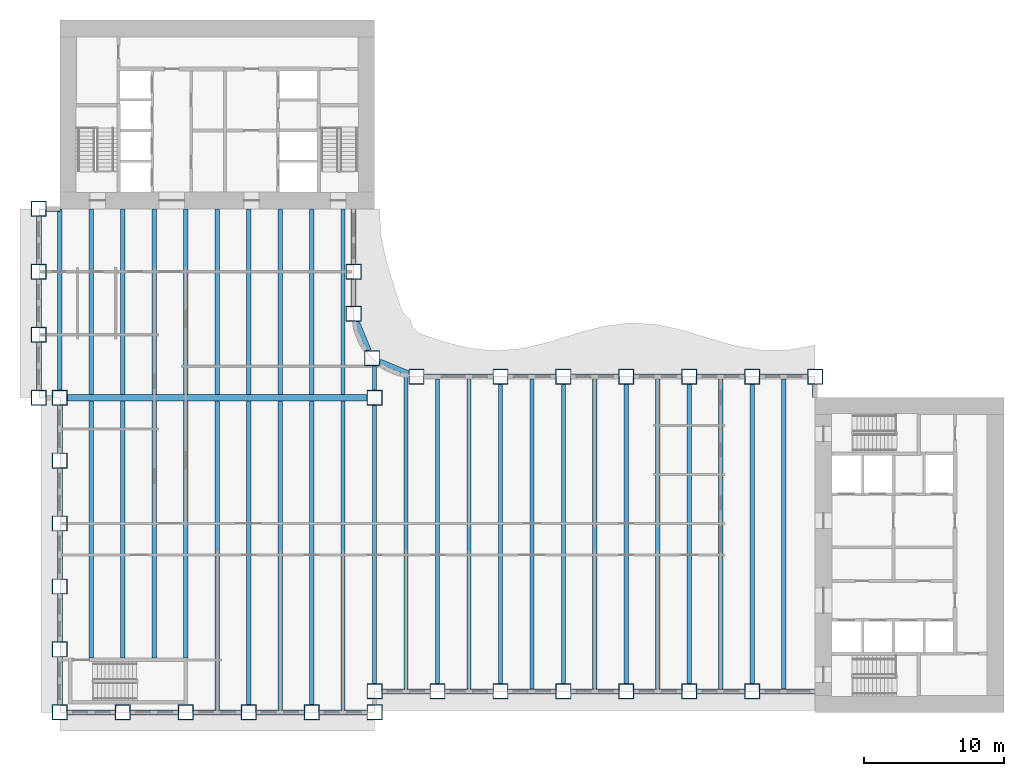
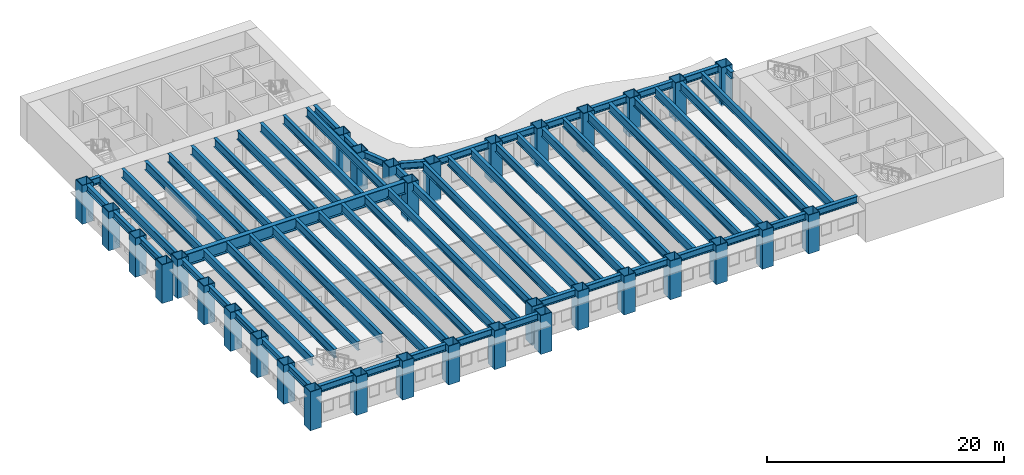
# One storey, part 1 of 15: 67 beams, 33 columns.
"""IFC4 building model written with IfcOpenShell, lengths in metres."""

from ifc_helpers import new_model, si_unit, direction, frame, origin, origin_2d, place, context, subcontext, project, spatial, hollow_rectangle, i_section, extrude, material, material_profile, profile_set, type_object, element, save


model = new_model("IFC4")

# Units and contexts
model_context = context("Model", 3, precision=1e-05, world=origin(), true_north=direction((0.0, 1.0)))
body_context = subcontext(model_context, "Body", "Model", "MODEL_VIEW")
ifc_project = project(units=[si_unit("LENGTHUNIT", "METRE"), si_unit("AREAUNIT", "SQUARE_METRE"), si_unit("VOLUMEUNIT", "CUBIC_METRE"), si_unit("PLANEANGLEUNIT", "RADIAN"), si_unit("MASSUNIT", "GRAM", prefix="KILO")], contexts=[model_context])

# Site, building, storey
site_placement = place(None, origin())
site = spatial("IfcSite", under=ifc_project, at=site_placement, CompositionType="ELEMENT")
building_placement = place(site_placement, origin())
building = spatial("IfcBuilding", under=site, at=building_placement, Name="Sennacour Bend Tower", CompositionType="ELEMENT")
storey_placement = place(building_placement, frame((0.0, 0.0, 41.0)))
storey = spatial("IfcBuildingStorey", under=building, at=storey_placement, Name="L08", CompositionType="ELEMENT", Elevation=41.0)

# Columns
ifc_material_1 = material(Name="Steel ASTM A572 Grade 50", Category="steel")
ifc_material_profile_1 = material_profile(ifc_material_1, hollow_rectangle(XDim=1.10009765625, YDim=1.10009765625, WallThickness=0.06005859375, at=origin_2d()), Name="Steel ASTM A572 Grade 50", Category="steel")
ifc_profile_set_1 = profile_set([ifc_material_profile_1], Name="Steel ASTM A572 Grade 50")
column_type = type_object("IfcColumnType", Name="Box column 1100", PredefinedType="COLUMN", material=ifc_profile_set_1)
for number, where, z_axis, x_axis, name in (
    (1, (-1.5, 22.5, -0.14990234375), (0.0, 0.0, 1.0), (1.0, 0.0, 0.0), "Perimeter column C1 L08-001"),
    (2, (-1.5, 27.0, -0.14990234375), (0.0, 0.0, 1.0), (1.0, 0.0, 0.0), "Perimeter column C1 L08-002"),
    (3, (-1.5, 31.5, -0.14990234375), (0.0, 0.0, 1.0), (1.0, 0.0, 0.0), "Perimeter column C1 L08-003"),
    (4, (-1.5, 36.0, -0.14990234375), (0.0, 0.0, 1.0), (1.0, 0.0, 0.0), "Perimeter column C1 L08-004"),
    (5, (0.0, 0.0, -0.14990234375), (0.0, 0.0, 1.0), (1.0, 0.0, 0.0), "Perimeter column C1 L08-005"),
    (6, (0.0, 4.5, -0.14990234375), (0.0, 0.0, 1.0), (1.0, 0.0, 0.0), "Perimeter column C1 L08-006"),
    (7, (0.0, 9.0, -0.14990234375), (0.0, 0.0, 1.0), (1.0, 0.0, 0.0), "Perimeter column C1 L08-007"),
    (8, (0.0, 13.5, -0.14990234375), (0.0, 0.0, 1.0), (1.0, 0.0, 0.0), "Perimeter column C1 L08-008"),
    (9, (0.0, 18.0, -0.14990234375), (0.0, 0.0, 1.0), (1.0, 0.0, 0.0), "Perimeter column C1 L08-009"),
    (10, (0.0, 22.5, -0.14990234375), (0.0, 0.0, 1.0), (1.0, 0.0, 0.0), "Perimeter column C1 L08-010"),
    (11, (4.5, 0.0, -0.14990234375), (0.0, 0.0, 1.0), (1.0, 0.0, 0.0), "Perimeter column C1 L08-011"),
    (12, (9.0, 0.0, -0.14990234375), (0.0, 0.0, 1.0), (1.0, 0.0, 0.0), "Perimeter column C1 L08-012"),
    (13, (13.5, 0.0, -0.14990234375), (0.0, 0.0, 1.0), (1.0, 0.0, 0.0), "Perimeter column C1 L08-013"),
    (14, (18.0, 0.0, -0.14990234375), (0.0, 0.0, 1.0), (1.0, 0.0, 0.0), "Perimeter column C1 L08-014"),
    (15, (21.0, 28.5, -0.14990234375), (0.0, 0.0, 1.0), (1.0, 0.0, 0.0), "Perimeter column C1 L08-015"),
    (16, (21.0, 31.5, -0.14990234375), (0.0, 0.0, 1.0), (1.0, 0.0, 0.0), "Perimeter column C1 L08-016"),
    (17, (22.318115234375, 25.318115234375, -0.14990234375), (0.0, 0.0, 1.0), (1.0, 0.0, 0.0), "Perimeter column C1 L08-017"),
    (18, (22.5, 0.0, -0.14990234375), (0.0, 0.0, 1.0), (1.0, 0.0, 0.0), "Perimeter column C1 L08-018"),
    (19, (22.5, 1.5, -0.14990234375), (0.0, 0.0, 1.0), (1.0, 0.0, 0.0), "Perimeter column C1 L08-019"),
    (20, (22.5, 22.5, -0.14990234375), (0.0, 0.0, 1.0), (1.0, 0.0, 0.0), "Knuckle column C1 L08-020"),
    (21, (25.5, 24.0, -0.14990234375), (0.0, 0.0, 1.0), (1.0, 0.0, 0.0), "Perimeter column C1 L08-021"),
    (22, (27.0, 1.5, -0.14990234375), (0.0, 0.0, 1.0), (1.0, 0.0, 0.0), "Perimeter column C1 L08-022"),
    (23, (31.5, 1.5, -0.14990234375), (0.0, 0.0, 1.0), (1.0, 0.0, 0.0), "Perimeter column C1 L08-023"),
    (24, (31.5, 24.0, -0.14990234375), (0.0, 0.0, 1.0), (1.0, 0.0, 0.0), "Perimeter column C1 L08-024"),
    (25, (36.0, 1.5, -0.14990234375), (0.0, 0.0, 1.0), (1.0, 0.0, 0.0), "Perimeter column C1 L08-025"),
    (26, (36.0, 24.0, -0.14990234375), (0.0, 0.0, 1.0), (1.0, 0.0, 0.0), "Perimeter column C1 L08-026"),
    (27, (40.5, 1.5, -0.14990234375), (0.0, 0.0, 1.0), (1.0, 0.0, 0.0), "Perimeter column C1 L08-027"),
    (28, (40.5, 24.0, -0.14990234375), (0.0, 0.0, 1.0), (1.0, 0.0, 0.0), "Perimeter column C1 L08-028"),
    (29, (45.0, 1.5, -0.14990234375), (0.0, 0.0, 1.0), (1.0, 0.0, 0.0), "Perimeter column C1 L08-029"),
    (30, (45.0, 24.0, -0.14990234375), (0.0, 0.0, 1.0), (1.0, 0.0, 0.0), "Perimeter column C1 L08-030"),
    (31, (49.5, 1.5, -0.14990234375), (0.0, 0.0, 1.0), (1.0, 0.0, 0.0), "Perimeter column C1 L08-031"),
    (32, (49.5, 24.0, -0.14990234375), (0.0, 0.0, 1.0), (1.0, 0.0, 0.0), "Perimeter column C1 L08-032"),
    (33, (54.0, 24.0, -0.14990234375), (0.0, 0.0, 1.0), (1.0, 0.0, 0.0), "Perimeter column C1 L08-033"),
):
    element("IfcColumn", number, at=place(storey_placement, frame(where, z_axis=z_axis, x_axis=x_axis)), inside=storey, type_object=column_type, Name=name, PredefinedType="COLUMN", context=body_context, shape_type="SweptSolid", body=[
        extrude(hollow_rectangle(XDim=1.10009765625, YDim=1.10009765625, WallThickness=0.06005859375, at=origin_2d()), origin(), (0.0, 0.0, 1.0), 4.0),
    ])

# Beams
ifc_material_2 = material(Name="Steel ASTM A992 Grade 50", Category="steel")
ifc_material_profile_2 = material_profile(ifc_material_2, i_section(OverallWidth=0.304931640625, OverallDepth=0.912109375, WebThickness=0.015869140625, FlangeThickness=0.02392578125, FilletRadius=0.01904296875, at=origin_2d()), Name="Steel ASTM A992 Grade 50", Category="steel")
ifc_profile_set_2 = profile_set([ifc_material_profile_2], Name="Steel ASTM A992 Grade 50")
beam_type_1 = type_object("IfcBeamType", Name="Floor beam W920X223", PredefinedType="BEAM", material=ifc_profile_set_2)
beam_1_placement = place(storey_placement, frame((0.0, 23.050048828125, 3.39404296875), z_axis=(0.0, 1.0, 0.0), x_axis=(-1.0, 0.0, 0.0)))
element("IfcBeam", 34, at=beam_1_placement, inside=storey, type_object=beam_type_1, Name="Floor beam FBM1 L09-001", PredefinedType="BEAM", context=body_context, shape_type="SweptSolid", body=[
    extrude(i_section(OverallWidth=0.304931640625, OverallDepth=0.912109375, WebThickness=0.015869140625, FlangeThickness=0.02392578125, FilletRadius=0.01904296875, at=origin_2d()), origin(), (0.0, 0.0, 1.0), 12.949951171875),
])
beam_2_placement = place(storey_placement, frame((2.25, 3.875, 3.39404296875), z_axis=(0.0, 1.0, 0.0), x_axis=(-1.0, 0.0, 0.0)))
element("IfcBeam", 35, at=beam_2_placement, inside=storey, type_object=beam_type_1, Name="Floor beam FBM1 L09-002", PredefinedType="BEAM", context=body_context, shape_type="SweptSolid", body=[
    extrude(i_section(OverallWidth=0.304931640625, OverallDepth=0.912109375, WebThickness=0.015869140625, FlangeThickness=0.02392578125, FilletRadius=0.01904296875, at=origin_2d()), origin(), (0.0, 0.0, 1.0), 18.39990234375),
])
beam_3_placement = place(storey_placement, frame((2.25, 22.72509765625, 3.39404296875), z_axis=(0.0, 1.0, 0.0), x_axis=(-1.0, 0.0, 0.0)))
element("IfcBeam", 36, at=beam_3_placement, inside=storey, type_object=beam_type_1, Name="Floor beam FBM1 L09-003", PredefinedType="BEAM", context=body_context, shape_type="SweptSolid", body=[
    extrude(i_section(OverallWidth=0.304931640625, OverallDepth=0.912109375, WebThickness=0.015869140625, FlangeThickness=0.02392578125, FilletRadius=0.01904296875, at=origin_2d()), origin(), (0.0, 0.0, 1.0), 13.27490234375),
])
beam_4_placement = place(storey_placement, frame((4.5, 3.875, 3.39404296875), z_axis=(0.0, 1.0, 0.0), x_axis=(-1.0, 0.0, 0.0)))
element("IfcBeam", 37, at=beam_4_placement, inside=storey, type_object=beam_type_1, Name="Floor beam FBM1 L09-004", PredefinedType="BEAM", context=body_context, shape_type="SweptSolid", body=[
    extrude(i_section(OverallWidth=0.304931640625, OverallDepth=0.912109375, WebThickness=0.015869140625, FlangeThickness=0.02392578125, FilletRadius=0.01904296875, at=origin_2d()), origin(), (0.0, 0.0, 1.0), 18.39990234375),
])
beam_5_placement = place(storey_placement, frame((4.5, 22.72509765625, 3.39404296875), z_axis=(0.0, 1.0, 0.0), x_axis=(-1.0, 0.0, 0.0)))
element("IfcBeam", 38, at=beam_5_placement, inside=storey, type_object=beam_type_1, Name="Floor beam FBM1 L09-005", PredefinedType="BEAM", context=body_context, shape_type="SweptSolid", body=[
    extrude(i_section(OverallWidth=0.304931640625, OverallDepth=0.912109375, WebThickness=0.015869140625, FlangeThickness=0.02392578125, FilletRadius=0.01904296875, at=origin_2d()), origin(), (0.0, 0.0, 1.0), 13.27490234375),
])
beam_6_placement = place(storey_placement, frame((6.75, 3.875, 3.39404296875), z_axis=(0.0, 1.0, 0.0), x_axis=(-1.0, 0.0, 0.0)))
element("IfcBeam", 39, at=beam_6_placement, inside=storey, type_object=beam_type_1, Name="Floor beam FBM1 L09-006", PredefinedType="BEAM", context=body_context, shape_type="SweptSolid", body=[
    extrude(i_section(OverallWidth=0.304931640625, OverallDepth=0.912109375, WebThickness=0.015869140625, FlangeThickness=0.02392578125, FilletRadius=0.01904296875, at=origin_2d()), origin(), (0.0, 0.0, 1.0), 18.39990234375),
])
beam_7_placement = place(storey_placement, frame((6.75, 22.72509765625, 3.39404296875), z_axis=(0.0, 1.0, 0.0), x_axis=(-1.0, 0.0, 0.0)))
element("IfcBeam", 40, at=beam_7_placement, inside=storey, type_object=beam_type_1, Name="Floor beam FBM1 L09-007", PredefinedType="BEAM", context=body_context, shape_type="SweptSolid", body=[
    extrude(i_section(OverallWidth=0.304931640625, OverallDepth=0.912109375, WebThickness=0.015869140625, FlangeThickness=0.02392578125, FilletRadius=0.01904296875, at=origin_2d()), origin(), (0.0, 0.0, 1.0), 13.27490234375),
])
beam_8_placement = place(storey_placement, frame((9.0, 3.875, 3.39404296875), z_axis=(0.0, 1.0, 0.0), x_axis=(-1.0, 0.0, 0.0)))
element("IfcBeam", 41, at=beam_8_placement, inside=storey, type_object=beam_type_1, Name="Floor beam FBM1 L09-008", PredefinedType="BEAM", context=body_context, shape_type="SweptSolid", body=[
    extrude(i_section(OverallWidth=0.304931640625, OverallDepth=0.912109375, WebThickness=0.015869140625, FlangeThickness=0.02392578125, FilletRadius=0.01904296875, at=origin_2d()), origin(), (0.0, 0.0, 1.0), 18.39990234375),
])
beam_9_placement = place(storey_placement, frame((9.0, 22.72509765625, 3.39404296875), z_axis=(0.0, 1.0, 0.0), x_axis=(-1.0, 0.0, 0.0)))
element("IfcBeam", 42, at=beam_9_placement, inside=storey, type_object=beam_type_1, Name="Floor beam FBM1 L09-009", PredefinedType="BEAM", context=body_context, shape_type="SweptSolid", body=[
    extrude(i_section(OverallWidth=0.304931640625, OverallDepth=0.912109375, WebThickness=0.015869140625, FlangeThickness=0.02392578125, FilletRadius=0.01904296875, at=origin_2d()), origin(), (0.0, 0.0, 1.0), 13.27490234375),
])
beam_10_placement = place(storey_placement, frame((11.25, 0.178955078125, 3.39404296875), z_axis=(0.0, 1.0, 0.0), x_axis=(-1.0, 0.0, 0.0)))
element("IfcBeam", 43, at=beam_10_placement, inside=storey, type_object=beam_type_1, Name="Floor beam FBM1 L09-010", PredefinedType="BEAM", context=body_context, shape_type="SweptSolid", body=[
    extrude(i_section(OverallWidth=0.304931640625, OverallDepth=0.912109375, WebThickness=0.015869140625, FlangeThickness=0.02392578125, FilletRadius=0.01904296875, at=origin_2d()), origin(), (0.0, 0.0, 1.0), 22.095947265625),
])
beam_11_placement = place(storey_placement, frame((11.25, 22.72509765625, 3.39404296875), z_axis=(0.0, 1.0, 0.0), x_axis=(-1.0, 0.0, 0.0)))
element("IfcBeam", 44, at=beam_11_placement, inside=storey, type_object=beam_type_1, Name="Floor beam FBM1 L09-011", PredefinedType="BEAM", context=body_context, shape_type="SweptSolid", body=[
    extrude(i_section(OverallWidth=0.304931640625, OverallDepth=0.912109375, WebThickness=0.015869140625, FlangeThickness=0.02392578125, FilletRadius=0.01904296875, at=origin_2d()), origin(), (0.0, 0.0, 1.0), 13.27490234375),
])
beam_12_placement = place(storey_placement, frame((13.5, 0.550048828125, 3.39404296875), z_axis=(0.0, 1.0, 0.0), x_axis=(-1.0, 0.0, 0.0)))
element("IfcBeam", 45, at=beam_12_placement, inside=storey, type_object=beam_type_1, Name="Floor beam FBM1 L09-012", PredefinedType="BEAM", context=body_context, shape_type="SweptSolid", body=[
    extrude(i_section(OverallWidth=0.304931640625, OverallDepth=0.912109375, WebThickness=0.015869140625, FlangeThickness=0.02392578125, FilletRadius=0.01904296875, at=origin_2d()), origin(), (0.0, 0.0, 1.0), 21.724853515625),
])
beam_13_placement = place(storey_placement, frame((13.5, 22.72509765625, 3.39404296875), z_axis=(0.0, 1.0, 0.0), x_axis=(-1.0, 0.0, 0.0)))
element("IfcBeam", 46, at=beam_13_placement, inside=storey, type_object=beam_type_1, Name="Floor beam FBM1 L09-013", PredefinedType="BEAM", context=body_context, shape_type="SweptSolid", body=[
    extrude(i_section(OverallWidth=0.304931640625, OverallDepth=0.912109375, WebThickness=0.015869140625, FlangeThickness=0.02392578125, FilletRadius=0.01904296875, at=origin_2d()), origin(), (0.0, 0.0, 1.0), 13.27490234375),
])
beam_14_placement = place(storey_placement, frame((15.75, 0.178955078125, 3.39404296875), z_axis=(0.0, 1.0, 0.0), x_axis=(-1.0, 0.0, 0.0)))
element("IfcBeam", 47, at=beam_14_placement, inside=storey, type_object=beam_type_1, Name="Floor beam FBM1 L09-014", PredefinedType="BEAM", context=body_context, shape_type="SweptSolid", body=[
    extrude(i_section(OverallWidth=0.304931640625, OverallDepth=0.912109375, WebThickness=0.015869140625, FlangeThickness=0.02392578125, FilletRadius=0.01904296875, at=origin_2d()), origin(), (0.0, 0.0, 1.0), 22.095947265625),
])
beam_15_placement = place(storey_placement, frame((15.75, 22.72509765625, 3.39404296875), z_axis=(0.0, 1.0, 0.0), x_axis=(-1.0, 0.0, 0.0)))
element("IfcBeam", 48, at=beam_15_placement, inside=storey, type_object=beam_type_1, Name="Floor beam FBM1 L09-015", PredefinedType="BEAM", context=body_context, shape_type="SweptSolid", body=[
    extrude(i_section(OverallWidth=0.304931640625, OverallDepth=0.912109375, WebThickness=0.015869140625, FlangeThickness=0.02392578125, FilletRadius=0.01904296875, at=origin_2d()), origin(), (0.0, 0.0, 1.0), 13.27490234375),
])
beam_16_placement = place(storey_placement, frame((18.0, 0.550048828125, 3.39404296875), z_axis=(0.0, 1.0, 0.0), x_axis=(-1.0, 0.0, 0.0)))
element("IfcBeam", 49, at=beam_16_placement, inside=storey, type_object=beam_type_1, Name="Floor beam FBM1 L09-016", PredefinedType="BEAM", context=body_context, shape_type="SweptSolid", body=[
    extrude(i_section(OverallWidth=0.304931640625, OverallDepth=0.912109375, WebThickness=0.015869140625, FlangeThickness=0.02392578125, FilletRadius=0.01904296875, at=origin_2d()), origin(), (0.0, 0.0, 1.0), 21.724853515625),
])
beam_17_placement = place(storey_placement, frame((18.0, 22.72509765625, 3.39404296875), z_axis=(0.0, 1.0, 0.0), x_axis=(-1.0, 0.0, 0.0)))
element("IfcBeam", 50, at=beam_17_placement, inside=storey, type_object=beam_type_1, Name="Floor beam FBM1 L09-017", PredefinedType="BEAM", context=body_context, shape_type="SweptSolid", body=[
    extrude(i_section(OverallWidth=0.304931640625, OverallDepth=0.912109375, WebThickness=0.015869140625, FlangeThickness=0.02392578125, FilletRadius=0.01904296875, at=origin_2d()), origin(), (0.0, 0.0, 1.0), 13.27490234375),
])
beam_18_placement = place(storey_placement, frame((20.25, 0.178955078125, 3.39404296875), z_axis=(0.0, 1.0, 0.0), x_axis=(-1.0, 0.0, 0.0)))
element("IfcBeam", 51, at=beam_18_placement, inside=storey, type_object=beam_type_1, Name="Floor beam FBM1 L09-018", PredefinedType="BEAM", context=body_context, shape_type="SweptSolid", body=[
    extrude(i_section(OverallWidth=0.304931640625, OverallDepth=0.912109375, WebThickness=0.015869140625, FlangeThickness=0.02392578125, FilletRadius=0.01904296875, at=origin_2d()), origin(), (0.0, 0.0, 1.0), 22.095947265625),
])
beam_19_placement = place(storey_placement, frame((20.25, 22.72509765625, 3.39404296875), z_axis=(0.0, 1.0, 0.0), x_axis=(-1.0, 0.0, 0.0)))
element("IfcBeam", 52, at=beam_19_placement, inside=storey, type_object=beam_type_1, Name="Floor beam FBM1 L09-019", PredefinedType="BEAM", context=body_context, shape_type="SweptSolid", body=[
    extrude(i_section(OverallWidth=0.304931640625, OverallDepth=0.912109375, WebThickness=0.015869140625, FlangeThickness=0.02392578125, FilletRadius=0.01904296875, at=origin_2d()), origin(), (0.0, 0.0, 1.0), 13.27490234375),
])
beam_20_placement = place(storey_placement, frame((22.5, 2.050048828125, 3.39404296875), z_axis=(0.0, 1.0, 0.0), x_axis=(-1.0, 0.0, 0.0)))
element("IfcBeam", 53, at=beam_20_placement, inside=storey, type_object=beam_type_1, Name="Floor beam FBM1 L09-020", PredefinedType="BEAM", context=body_context, shape_type="SweptSolid", body=[
    extrude(i_section(OverallWidth=0.304931640625, OverallDepth=0.912109375, WebThickness=0.015869140625, FlangeThickness=0.02392578125, FilletRadius=0.01904296875, at=origin_2d()), origin(), (0.0, 0.0, 1.0), 19.89990234375),
])
beam_21_placement = place(storey_placement, frame((22.5, 23.050048828125, 3.39404296875), z_axis=(0.0, 1.0, 0.0), x_axis=(-1.0, 0.0, 0.0)))
element("IfcBeam", 54, at=beam_21_placement, inside=storey, type_object=beam_type_1, Name="Floor beam FBM1 L09-021", PredefinedType="BEAM", context=body_context, shape_type="SweptSolid", body=[
    extrude(i_section(OverallWidth=0.304931640625, OverallDepth=0.912109375, WebThickness=0.015869140625, FlangeThickness=0.02392578125, FilletRadius=0.01904296875, at=origin_2d()), origin(), (0.0, 0.0, 1.0), 1.718017578125),
])
beam_22_placement = place(storey_placement, frame((24.75, 1.678955078125, 3.39404296875), z_axis=(0.0, 1.0, 0.0), x_axis=(-1.0, 0.0, 0.0)))
element("IfcBeam", 55, at=beam_22_placement, inside=storey, type_object=beam_type_1, Name="Floor beam FBM1 L09-022", PredefinedType="BEAM", context=body_context, shape_type="SweptSolid", body=[
    extrude(i_section(OverallWidth=0.304931640625, OverallDepth=0.912109375, WebThickness=0.015869140625, FlangeThickness=0.02392578125, FilletRadius=0.01904296875, at=origin_2d()), origin(), (0.0, 0.0, 1.0), 22.43798828125),
])
beam_23_placement = place(storey_placement, frame((27.0, 2.050048828125, 3.39404296875), z_axis=(0.0, 1.0, 0.0), x_axis=(-1.0, 0.0, 0.0)))
element("IfcBeam", 56, at=beam_23_placement, inside=storey, type_object=beam_type_1, Name="Floor beam FBM1 L09-023", PredefinedType="BEAM", context=body_context, shape_type="SweptSolid", body=[
    extrude(i_section(OverallWidth=0.304931640625, OverallDepth=0.912109375, WebThickness=0.015869140625, FlangeThickness=0.02392578125, FilletRadius=0.01904296875, at=origin_2d()), origin(), (0.0, 0.0, 1.0), 21.77099609375),
])
beam_24_placement = place(storey_placement, frame((29.25, 1.678955078125, 3.39404296875), z_axis=(0.0, 1.0, 0.0), x_axis=(-1.0, 0.0, 0.0)))
element("IfcBeam", 57, at=beam_24_placement, inside=storey, type_object=beam_type_1, Name="Floor beam FBM1 L09-024", PredefinedType="BEAM", context=body_context, shape_type="SweptSolid", body=[
    extrude(i_section(OverallWidth=0.304931640625, OverallDepth=0.912109375, WebThickness=0.015869140625, FlangeThickness=0.02392578125, FilletRadius=0.01904296875, at=origin_2d()), origin(), (0.0, 0.0, 1.0), 22.14208984375),
])
beam_25_placement = place(storey_placement, frame((31.5, 2.050048828125, 3.39404296875), z_axis=(0.0, 1.0, 0.0), x_axis=(-1.0, 0.0, 0.0)))
element("IfcBeam", 58, at=beam_25_placement, inside=storey, type_object=beam_type_1, Name="Floor beam FBM1 L09-025", PredefinedType="BEAM", context=body_context, shape_type="SweptSolid", body=[
    extrude(i_section(OverallWidth=0.304931640625, OverallDepth=0.912109375, WebThickness=0.015869140625, FlangeThickness=0.02392578125, FilletRadius=0.01904296875, at=origin_2d()), origin(), (0.0, 0.0, 1.0), 21.39990234375),
])
beam_26_placement = place(storey_placement, frame((33.75, 1.678955078125, 3.39404296875), z_axis=(0.0, 1.0, 0.0), x_axis=(-1.0, 0.0, 0.0)))
element("IfcBeam", 59, at=beam_26_placement, inside=storey, type_object=beam_type_1, Name="Floor beam FBM1 L09-026", PredefinedType="BEAM", context=body_context, shape_type="SweptSolid", body=[
    extrude(i_section(OverallWidth=0.304931640625, OverallDepth=0.912109375, WebThickness=0.015869140625, FlangeThickness=0.02392578125, FilletRadius=0.01904296875, at=origin_2d()), origin(), (0.0, 0.0, 1.0), 22.14208984375),
])
beam_27_placement = place(storey_placement, frame((36.0, 2.050048828125, 3.39404296875), z_axis=(0.0, 1.0, 0.0), x_axis=(-1.0, 0.0, 0.0)))
element("IfcBeam", 60, at=beam_27_placement, inside=storey, type_object=beam_type_1, Name="Floor beam FBM1 L09-027", PredefinedType="BEAM", context=body_context, shape_type="SweptSolid", body=[
    extrude(i_section(OverallWidth=0.304931640625, OverallDepth=0.912109375, WebThickness=0.015869140625, FlangeThickness=0.02392578125, FilletRadius=0.01904296875, at=origin_2d()), origin(), (0.0, 0.0, 1.0), 21.39990234375),
])
beam_28_placement = place(storey_placement, frame((38.25, 1.678955078125, 3.39404296875), z_axis=(0.0, 1.0, 0.0), x_axis=(-1.0, 0.0, 0.0)))
element("IfcBeam", 61, at=beam_28_placement, inside=storey, type_object=beam_type_1, Name="Floor beam FBM1 L09-028", PredefinedType="BEAM", context=body_context, shape_type="SweptSolid", body=[
    extrude(i_section(OverallWidth=0.304931640625, OverallDepth=0.912109375, WebThickness=0.015869140625, FlangeThickness=0.02392578125, FilletRadius=0.01904296875, at=origin_2d()), origin(), (0.0, 0.0, 1.0), 22.14208984375),
])
beam_29_placement = place(storey_placement, frame((40.5, 2.050048828125, 3.39404296875), z_axis=(0.0, 1.0, 0.0), x_axis=(-1.0, 0.0, 0.0)))
element("IfcBeam", 62, at=beam_29_placement, inside=storey, type_object=beam_type_1, Name="Floor beam FBM1 L09-029", PredefinedType="BEAM", context=body_context, shape_type="SweptSolid", body=[
    extrude(i_section(OverallWidth=0.304931640625, OverallDepth=0.912109375, WebThickness=0.015869140625, FlangeThickness=0.02392578125, FilletRadius=0.01904296875, at=origin_2d()), origin(), (0.0, 0.0, 1.0), 21.39990234375),
])
beam_30_placement = place(storey_placement, frame((42.75, 1.678955078125, 3.39404296875), z_axis=(0.0, 1.0, 0.0), x_axis=(-1.0, 0.0, 0.0)))
element("IfcBeam", 63, at=beam_30_placement, inside=storey, type_object=beam_type_1, Name="Floor beam FBM1 L09-030", PredefinedType="BEAM", context=body_context, shape_type="SweptSolid", body=[
    extrude(i_section(OverallWidth=0.304931640625, OverallDepth=0.912109375, WebThickness=0.015869140625, FlangeThickness=0.02392578125, FilletRadius=0.01904296875, at=origin_2d()), origin(), (0.0, 0.0, 1.0), 22.14208984375),
])
beam_31_placement = place(storey_placement, frame((45.0, 2.050048828125, 3.39404296875), z_axis=(0.0, 1.0, 0.0), x_axis=(-1.0, 0.0, 0.0)))
element("IfcBeam", 64, at=beam_31_placement, inside=storey, type_object=beam_type_1, Name="Floor beam FBM1 L09-031", PredefinedType="BEAM", context=body_context, shape_type="SweptSolid", body=[
    extrude(i_section(OverallWidth=0.304931640625, OverallDepth=0.912109375, WebThickness=0.015869140625, FlangeThickness=0.02392578125, FilletRadius=0.01904296875, at=origin_2d()), origin(), (0.0, 0.0, 1.0), 21.39990234375),
])
beam_32_placement = place(storey_placement, frame((47.25, 1.678955078125, 3.39404296875), z_axis=(0.0, 1.0, 0.0), x_axis=(-1.0, 0.0, 0.0)))
element("IfcBeam", 65, at=beam_32_placement, inside=storey, type_object=beam_type_1, Name="Floor beam FBM1 L09-032", PredefinedType="BEAM", context=body_context, shape_type="SweptSolid", body=[
    extrude(i_section(OverallWidth=0.304931640625, OverallDepth=0.912109375, WebThickness=0.015869140625, FlangeThickness=0.02392578125, FilletRadius=0.01904296875, at=origin_2d()), origin(), (0.0, 0.0, 1.0), 22.14208984375),
])
beam_33_placement = place(storey_placement, frame((49.5, 2.050048828125, 3.39404296875), z_axis=(0.0, 1.0, 0.0), x_axis=(-1.0, 0.0, 0.0)))
element("IfcBeam", 66, at=beam_33_placement, inside=storey, type_object=beam_type_1, Name="Floor beam FBM1 L09-033", PredefinedType="BEAM", context=body_context, shape_type="SweptSolid", body=[
    extrude(i_section(OverallWidth=0.304931640625, OverallDepth=0.912109375, WebThickness=0.015869140625, FlangeThickness=0.02392578125, FilletRadius=0.01904296875, at=origin_2d()), origin(), (0.0, 0.0, 1.0), 21.39990234375),
])
beam_34_placement = place(storey_placement, frame((51.75, 1.678955078125, 3.39404296875), z_axis=(0.0, 1.0, 0.0), x_axis=(-1.0, 0.0, 0.0)))
element("IfcBeam", 67, at=beam_34_placement, inside=storey, type_object=beam_type_1, Name="Floor beam FBM1 L09-034", PredefinedType="BEAM", context=body_context, shape_type="SweptSolid", body=[
    extrude(i_section(OverallWidth=0.304931640625, OverallDepth=0.912109375, WebThickness=0.015869140625, FlangeThickness=0.02392578125, FilletRadius=0.01904296875, at=origin_2d()), origin(), (0.0, 0.0, 1.0), 22.14208984375),
])
ifc_material_profile_3 = material_profile(ifc_material_1, i_section(OverallWidth=0.449951171875, OverallDepth=1.25, WebThickness=0.028076171875, FlangeThickness=0.050048828125, at=origin_2d()), Name="Steel ASTM A572 Grade 50", Category="steel")
ifc_profile_set_3 = profile_set([ifc_material_profile_3], Name="Steel ASTM A572 Grade 50")
beam_type_2 = type_object("IfcBeamType", Name="Knuckle girder 1250", PredefinedType="USERDEFINED", material=ifc_profile_set_3)
beam_35_placement = place(storey_placement, frame((0.550048828125, 22.5, 3.22509765625), z_axis=(1.0, 0.0, 0.0), x_axis=(0.0, 1.0, 0.0)))
element("IfcBeam", 68, at=beam_35_placement, inside=storey, type_object=beam_type_2, Name="Knuckle girder GK L09-001", ObjectType="KNUCKLE GIRDER", PredefinedType="USERDEFINED", context=body_context, shape_type="SweptSolid", body=[
    extrude(i_section(OverallWidth=0.449951171875, OverallDepth=1.25, WebThickness=0.028076171875, FlangeThickness=0.050048828125, at=origin_2d()), origin(), (0.0, 0.0, 1.0), 21.39990234375),
])
ifc_material_profile_4 = material_profile(ifc_material_2, i_section(OverallWidth=0.35791015625, OverallDepth=0.7060546875, WebThickness=0.018310546875, FlangeThickness=0.0302734375, FilletRadius=0.02001953125, at=origin_2d()), Name="Steel ASTM A992 Grade 50", Category="steel")
ifc_profile_set_4 = profile_set([ifc_material_profile_4], Name="Steel ASTM A992 Grade 50")
beam_type_3 = type_object("IfcBeamType", Name="Spandrel beam W690X265", PredefinedType="SPANDREL", material=ifc_profile_set_4)
for number, where, z_axis, x_axis, name in (
    (69, (0.0, 0.550048828125, 3.4970703125), (0.0, 1.0, 0.0), (-1.0, 0.0, 0.0), "Spandrel beam SP2 L09-001"),
    (70, (0.0, 5.050048828125, 3.4970703125), (0.0, 1.0, 0.0), (-1.0, 0.0, 0.0), "Spandrel beam SP2 L09-002"),
    (71, (0.0, 9.550048828125, 3.4970703125), (0.0, 1.0, 0.0), (-1.0, 0.0, 0.0), "Spandrel beam SP2 L09-003"),
    (72, (0.0, 14.050048828125, 3.4970703125), (0.0, 1.0, 0.0), (-1.0, 0.0, 0.0), "Spandrel beam SP2 L09-004"),
    (73, (0.0, 18.550048828125, 3.4970703125), (0.0, 1.0, 0.0), (-1.0, 0.0, 0.0), "Spandrel beam SP2 L09-005"),
    (74, (-1.5, 23.050048828125, 3.4970703125), (0.0, 1.0, 0.0), (-1.0, 0.0, 0.0), "Spandrel beam SP2 L09-006"),
    (75, (-1.5, 27.550048828125, 3.4970703125), (0.0, 1.0, 0.0), (-1.0, 0.0, 0.0), "Spandrel beam SP2 L09-007"),
    (76, (-1.5, 32.050048828125, 3.4970703125), (0.0, 1.0, 0.0), (-1.0, 0.0, 0.0), "Spandrel beam SP2 L09-008"),
):
    element("IfcBeam", number, at=place(storey_placement, frame(where, z_axis=z_axis, x_axis=x_axis)), inside=storey, type_object=beam_type_3, Name=name, PredefinedType="SPANDREL", context=body_context, shape_type="SweptSolid", body=[
        extrude(i_section(OverallWidth=0.35791015625, OverallDepth=0.7060546875, WebThickness=0.018310546875, FlangeThickness=0.0302734375, FilletRadius=0.02001953125, at=origin_2d()), origin(), (0.0, 0.0, 1.0), 3.39990234375),
    ])
beam_36_placement = place(storey_placement, frame((-0.949951171875, 36.0, 3.4970703125), z_axis=(1.0, 0.0, 0.0), x_axis=(0.0, 1.0, 0.0)))
element("IfcBeam", 77, at=beam_36_placement, inside=storey, type_object=beam_type_3, Name="Spandrel beam SP2 L09-009", PredefinedType="SPANDREL", context=body_context, shape_type="SweptSolid", body=[
    extrude(i_section(OverallWidth=0.35791015625, OverallDepth=0.7060546875, WebThickness=0.018310546875, FlangeThickness=0.0302734375, FilletRadius=0.02001953125, at=origin_2d()), origin(), (0.0, 0.0, 1.0), 0.949951171875),
])
beam_37_placement = place(storey_placement, frame((21.0, 36.0, 3.4970703125), z_axis=(0.0, -1.0, 0.0), x_axis=(1.0, 0.0, 0.0)))
element("IfcBeam", 78, at=beam_37_placement, inside=storey, type_object=beam_type_3, Name="Spandrel beam SP2 L09-010", PredefinedType="SPANDREL", context=body_context, shape_type="SweptSolid", body=[
    extrude(i_section(OverallWidth=0.35791015625, OverallDepth=0.7060546875, WebThickness=0.018310546875, FlangeThickness=0.0302734375, FilletRadius=0.02001953125, at=origin_2d()), origin(), (0.0, 0.0, 1.0), 3.949951171875),
])
beam_38_placement = place(storey_placement, frame((21.0, 30.949951171875, 3.4970703125), z_axis=(0.0, -1.0, 0.0), x_axis=(1.0, 0.0, 0.0)))
element("IfcBeam", 79, at=beam_38_placement, inside=storey, type_object=beam_type_3, Name="Spandrel beam SP2 L09-011", PredefinedType="SPANDREL", context=body_context, shape_type="SweptSolid", body=[
    extrude(i_section(OverallWidth=0.35791015625, OverallDepth=0.7060546875, WebThickness=0.018310546875, FlangeThickness=0.0302734375, FilletRadius=0.02001953125, at=origin_2d()), origin(), (0.0, 0.0, 1.0), 1.89990234375),
])
for number, where, z_axis, x_axis, name in (
    (80, (21.227783203125, 27.949951171875, 3.4970703125), (0.382645217415, -0.923895360736, 0.0), (0.923895360736, 0.382645217415, 0.0), "Spandrel beam SP2 L09-012"),
    (81, (22.867919921875, 25.090087890625, 3.4970703125), (0.923895360736, -0.382645217415, 0.0), (0.382645217415, 0.923895360736, 0.0), "Spandrel beam SP2 L09-013"),
):
    element("IfcBeam", number, at=place(storey_placement, frame(where, z_axis=z_axis, x_axis=x_axis)), inside=storey, type_object=beam_type_3, Name=name, PredefinedType="SPANDREL", context=body_context, shape_type="SweptSolid", body=[
        extrude(i_section(OverallWidth=0.35791015625, OverallDepth=0.7060546875, WebThickness=0.018310546875, FlangeThickness=0.0302734375, FilletRadius=0.02001953125, at=origin_2d()), origin(), (0.0, 0.0, 1.0), 2.25341796875),
    ])
beam_39_placement = place(storey_placement, frame((26.050048828125, 24.0, 3.4970703125), z_axis=(1.0, 0.0, 0.0), x_axis=(0.0, 1.0, 0.0)))
element("IfcBeam", 82, at=beam_39_placement, inside=storey, type_object=beam_type_3, Name="Spandrel beam SP2 L09-014", PredefinedType="SPANDREL", context=body_context, shape_type="SweptSolid", body=[
    extrude(i_section(OverallWidth=0.35791015625, OverallDepth=0.7060546875, WebThickness=0.018310546875, FlangeThickness=0.0302734375, FilletRadius=0.02001953125, at=origin_2d()), origin(), (0.0, 0.0, 1.0), 4.89990234375),
])
for number, where, z_axis, x_axis, name in (
    (83, (32.050048828125, 24.0, 3.4970703125), (1.0, 0.0, 0.0), (0.0, 1.0, 0.0), "Spandrel beam SP2 L09-015"),
    (84, (36.550048828125, 24.0, 3.4970703125), (1.0, 0.0, 0.0), (0.0, 1.0, 0.0), "Spandrel beam SP2 L09-016"),
    (85, (41.050048828125, 24.0, 3.4970703125), (1.0, 0.0, 0.0), (0.0, 1.0, 0.0), "Spandrel beam SP2 L09-017"),
    (86, (45.550048828125, 24.0, 3.4970703125), (1.0, 0.0, 0.0), (0.0, 1.0, 0.0), "Spandrel beam SP2 L09-018"),
    (87, (50.050048828125, 24.0, 3.4970703125), (1.0, 0.0, 0.0), (0.0, 1.0, 0.0), "Spandrel beam SP2 L09-019"),
):
    element("IfcBeam", number, at=place(storey_placement, frame(where, z_axis=z_axis, x_axis=x_axis)), inside=storey, type_object=beam_type_3, Name=name, PredefinedType="SPANDREL", context=body_context, shape_type="SweptSolid", body=[
        extrude(i_section(OverallWidth=0.35791015625, OverallDepth=0.7060546875, WebThickness=0.018310546875, FlangeThickness=0.0302734375, FilletRadius=0.02001953125, at=origin_2d()), origin(), (0.0, 0.0, 1.0), 3.39990234375),
    ])
beam_40_placement = place(storey_placement, frame((54.0, 23.449951171875, 3.4970703125), z_axis=(0.0, -1.0, 0.0), x_axis=(1.0, 0.0, 0.0)))
element("IfcBeam", 88, at=beam_40_placement, inside=storey, type_object=beam_type_3, Name="Spandrel beam SP2 L09-020", PredefinedType="SPANDREL", context=body_context, shape_type="SweptSolid", body=[
    extrude(i_section(OverallWidth=0.35791015625, OverallDepth=0.7060546875, WebThickness=0.018310546875, FlangeThickness=0.0302734375, FilletRadius=0.02001953125, at=origin_2d()), origin(), (0.0, 0.0, 1.0), 0.949951171875),
])
beam_41_placement = place(storey_placement, frame((54.0, 1.5, 3.4970703125), z_axis=(-1.0, 0.0, 0.0), x_axis=(0.0, -1.0, 0.0)))
element("IfcBeam", 89, at=beam_41_placement, inside=storey, type_object=beam_type_3, Name="Spandrel beam SP2 L09-021", PredefinedType="SPANDREL", context=body_context, shape_type="SweptSolid", body=[
    extrude(i_section(OverallWidth=0.35791015625, OverallDepth=0.7060546875, WebThickness=0.018310546875, FlangeThickness=0.0302734375, FilletRadius=0.02001953125, at=origin_2d()), origin(), (0.0, 0.0, 1.0), 3.949951171875),
])
for number, where, z_axis, x_axis, name in (
    (90, (48.949951171875, 1.5, 3.4970703125), (-1.0, 0.0, 0.0), (0.0, -1.0, 0.0), "Spandrel beam SP2 L09-022"),
    (91, (44.449951171875, 1.5, 3.4970703125), (-1.0, 0.0, 0.0), (0.0, -1.0, 0.0), "Spandrel beam SP2 L09-023"),
    (92, (39.949951171875, 1.5, 3.4970703125), (-1.0, 0.0, 0.0), (0.0, -1.0, 0.0), "Spandrel beam SP2 L09-024"),
    (93, (35.449951171875, 1.5, 3.4970703125), (-1.0, 0.0, 0.0), (0.0, -1.0, 0.0), "Spandrel beam SP2 L09-025"),
    (94, (30.949951171875, 1.5, 3.4970703125), (-1.0, 0.0, 0.0), (0.0, -1.0, 0.0), "Spandrel beam SP2 L09-026"),
    (95, (26.449951171875, 1.5, 3.4970703125), (-1.0, 0.0, 0.0), (0.0, -1.0, 0.0), "Spandrel beam SP2 L09-027"),
    (96, (21.949951171875, 0.0, 3.4970703125), (-1.0, 0.0, 0.0), (0.0, -1.0, 0.0), "Spandrel beam SP2 L09-028"),
    (97, (17.449951171875, 0.0, 3.4970703125), (-1.0, 0.0, 0.0), (0.0, -1.0, 0.0), "Spandrel beam SP2 L09-029"),
    (98, (12.949951171875, 0.0, 3.4970703125), (-1.0, 0.0, 0.0), (0.0, -1.0, 0.0), "Spandrel beam SP2 L09-030"),
    (99, (8.449951171875, 0.0, 3.4970703125), (-1.0, 0.0, 0.0), (0.0, -1.0, 0.0), "Spandrel beam SP2 L09-031"),
    (100, (3.949951171875, 0.0, 3.4970703125), (-1.0, 0.0, 0.0), (0.0, -1.0, 0.0), "Spandrel beam SP2 L09-032"),
):
    element("IfcBeam", number, at=place(storey_placement, frame(where, z_axis=z_axis, x_axis=x_axis)), inside=storey, type_object=beam_type_3, Name=name, PredefinedType="SPANDREL", context=body_context, shape_type="SweptSolid", body=[
        extrude(i_section(OverallWidth=0.35791015625, OverallDepth=0.7060546875, WebThickness=0.018310546875, FlangeThickness=0.0302734375, FilletRadius=0.02001953125, at=origin_2d()), origin(), (0.0, 0.0, 1.0), 3.39990234375),
    ])

save(model, "model.ifc")
